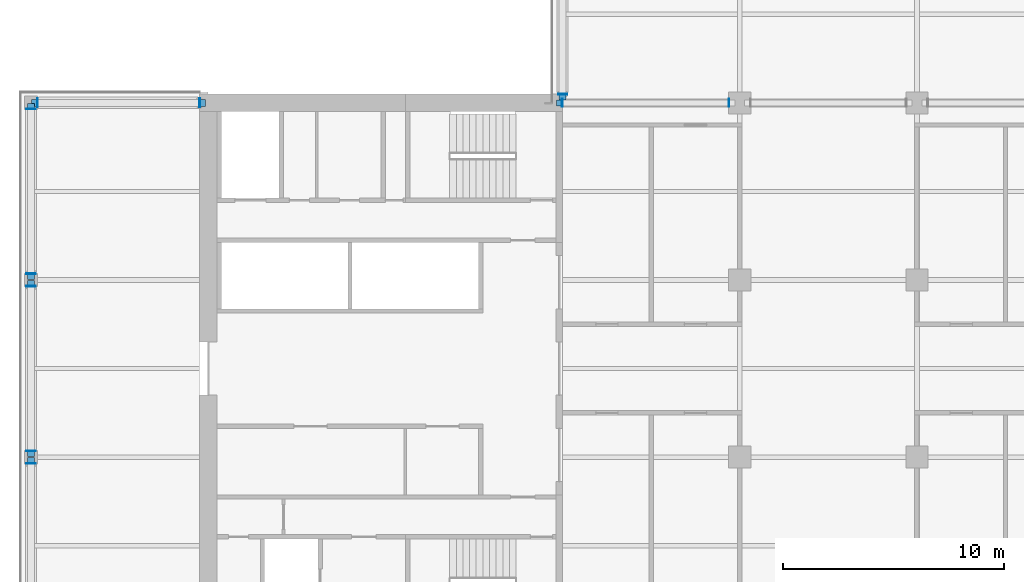
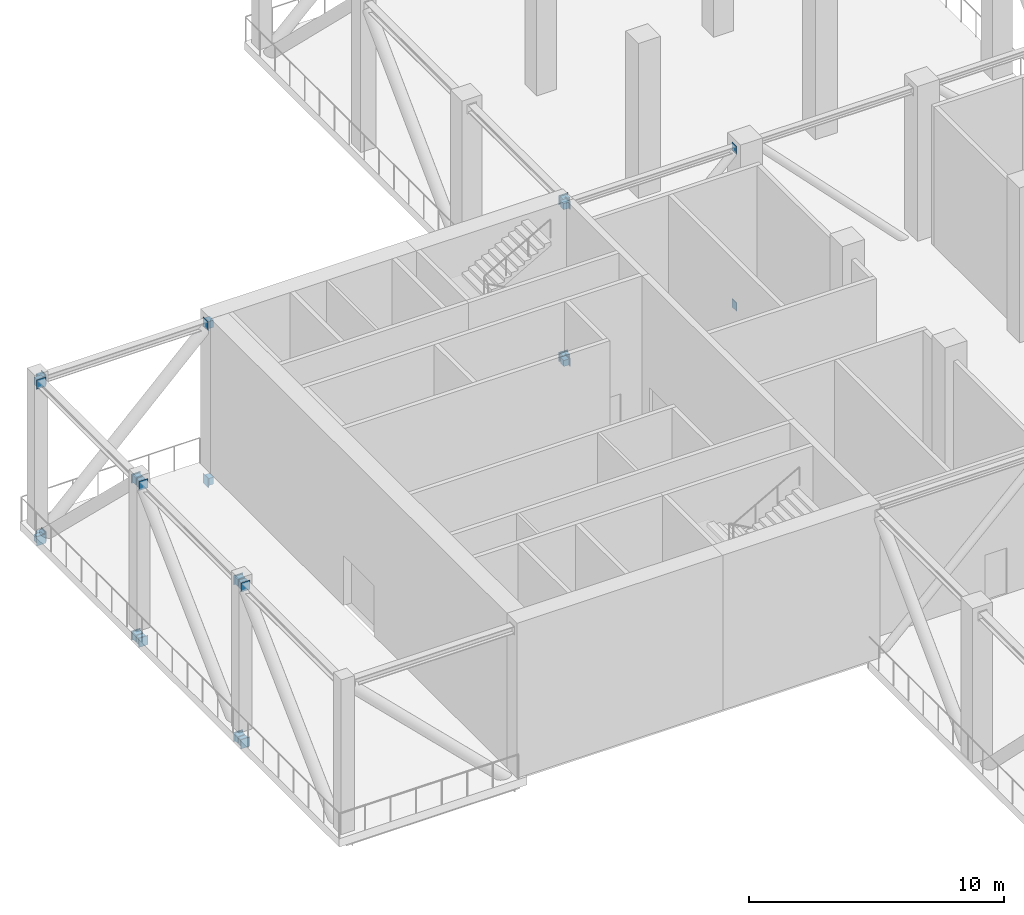
# One storey, part 10 of 18: 38 discrete accessories.
"""IFC4 building model written with IfcOpenShell, lengths in metres."""

from ifc_helpers import new_model, si_unit, direction, frame, origin, origin_2d, place, context, subcontext, project, spatial, rectangle, extrude, material, layer, layer_set, type_object, element, save


model = new_model("IFC4")

# Units and contexts
model_context = context("Model", 3, precision=1e-05, world=origin(), true_north=direction((0.0, 1.0)))
body_context = subcontext(model_context, "Body", "Model", "MODEL_VIEW")
ifc_project = project(units=[si_unit("LENGTHUNIT", "METRE"), si_unit("AREAUNIT", "SQUARE_METRE"), si_unit("VOLUMEUNIT", "CUBIC_METRE"), si_unit("PLANEANGLEUNIT", "RADIAN"), si_unit("MASSUNIT", "GRAM", prefix="KILO")], contexts=[model_context])

# Site, building, storey
site_placement = place(None, origin())
site = spatial("IfcSite", under=ifc_project, at=site_placement, CompositionType="ELEMENT")
building_placement = place(site_placement, origin())
building = spatial("IfcBuilding", under=site, at=building_placement, Name="Crosswind Convention Tower", CompositionType="ELEMENT")
storey_placement = place(building_placement, frame((0.0, 0.0, 105.300048828125)))
storey = spatial("IfcBuildingStorey", under=building, at=storey_placement, Name="L21", CompositionType="ELEMENT", Elevation=105.300048828125)

# Discrete accessories
ifc_material = material(Name="Steel S355", Category="steel")
ifc_layer_1 = layer(ifc_material, 0.030029296875)
ifc_layer_set_1 = layer_set([ifc_layer_1], Name="Steel S355")
discrete_accessory_type_1 = type_object("IfcDiscreteAccessoryType", Name="Cast-in plate 365 x 389 x 30", PredefinedType="ANCHORPLATE", material=ifc_layer_set_1)
for number, where, z_axis, x_axis, name in (
    (1, (112.985107421875, 112.0, -0.7392578125), (0.0, 0.0, 1.0), (1.0, 0.0, 0.0), "EP2 L21 cast-in plate"),
    (2, (120.514892578125, 112.0, -0.7392578125), (0.0, 0.0, 1.0), (1.0, 0.0, 0.0), "EP2 L21 cast-in plate"),
    (3, (112.985107421875, 112.0, 6.7607421875), (0.0, 0.0, 1.0), (1.0, 0.0, 0.0), "EP2 L21 cast-in plate"),
    (4, (120.514892578125, 112.0, 6.7607421875), (0.0, 0.0, 1.0), (1.0, 0.0, 0.0), "EP2 L21 cast-in plate"),
):
    element("IfcDiscreteAccessory", number, at=place(storey_placement, frame(where, z_axis=z_axis, x_axis=x_axis)), inside=storey, type_object=discrete_accessory_type_1, Name=name, PredefinedType="ANCHORPLATE", context=body_context, shape_type="SweptSolid", body=[
        extrude(rectangle(XDim=0.030029296875, YDim=0.364501953125, at=origin_2d()), origin(), (0.0, 0.0, 1.0), 0.38916015625),
    ])
ifc_layer_2 = layer(ifc_material, 0.030029296875)
ifc_layer_set_2 = layer_set([ifc_layer_2], Name="Steel S355")
discrete_accessory_type_2 = type_object("IfcDiscreteAccessoryType", Name="Cast-in plate 414 x 440 x 30", PredefinedType="ANCHORPLATE", material=ifc_layer_set_2)
for number, where, z_axis, x_axis, name in (
    (5, (89.0, 95.715087890625, -0.7900390625), (0.0, 0.0, 1.0), (1.0, 0.0, 0.0), "EP1 L21 cast-in plate"),
    (6, (89.0, 95.715087890625, 6.7099609375), (0.0, 0.0, 1.0), (1.0, 0.0, 0.0), "EP1 L21 cast-in plate"),
    (7, (89.0, 96.284912109375, -0.7900390625), (0.0, 0.0, 1.0), (1.0, 0.0, 0.0), "EP1 L21 cast-in plate"),
    (8, (89.0, 103.715087890625, -0.7900390625), (0.0, 0.0, 1.0), (1.0, 0.0, 0.0), "EP1 L21 cast-in plate"),
    (9, (89.0, 96.284912109375, 6.7099609375), (0.0, 0.0, 1.0), (1.0, 0.0, 0.0), "EP1 L21 cast-in plate"),
    (10, (89.0, 103.715087890625, 6.7099609375), (0.0, 0.0, 1.0), (1.0, 0.0, 0.0), "EP1 L21 cast-in plate"),
    (11, (89.0, 104.284912109375, -0.7900390625), (0.0, 0.0, 1.0), (1.0, 0.0, 0.0), "EP1 L21 cast-in plate"),
    (12, (89.0, 111.715087890625, -0.7900390625), (0.0, 0.0, 1.0), (1.0, 0.0, 0.0), "EP1 L21 cast-in plate"),
    (13, (89.0, 104.284912109375, 6.7099609375), (0.0, 0.0, 1.0), (1.0, 0.0, 0.0), "EP1 L21 cast-in plate"),
    (14, (89.0, 111.715087890625, 6.7099609375), (0.0, 0.0, 1.0), (1.0, 0.0, 0.0), "EP1 L21 cast-in plate"),
):
    element("IfcDiscreteAccessory", number, at=place(storey_placement, frame(where, z_axis=z_axis, x_axis=x_axis)), inside=storey, type_object=discrete_accessory_type_2, Name=name, PredefinedType="ANCHORPLATE", context=body_context, shape_type="SweptSolid", body=[
        extrude(rectangle(XDim=0.4140625, YDim=0.030029296875, at=origin_2d()), origin(), (0.0, 0.0, 1.0), 0.43994140625),
    ])
for number, where, z_axis, x_axis, name in (
    (15, (89.284912109375, 112.0, -0.7900390625), (0.0, 0.0, 1.0), (1.0, 0.0, 0.0), "EP1 L21 cast-in plate"),
    (16, (96.614990234375, 112.0, -0.7900390625), (0.0, 0.0, 1.0), (1.0, 0.0, 0.0), "EP1 L21 cast-in plate"),
    (17, (89.284912109375, 112.0, 6.7099609375), (0.0, 0.0, 1.0), (1.0, 0.0, 0.0), "EP1 L21 cast-in plate"),
    (18, (96.614990234375, 112.0, 6.7099609375), (0.0, 0.0, 1.0), (1.0, 0.0, 0.0), "EP1 L21 cast-in plate"),
):
    element("IfcDiscreteAccessory", number, at=place(storey_placement, frame(where, z_axis=z_axis, x_axis=x_axis)), inside=storey, type_object=discrete_accessory_type_2, Name=name, PredefinedType="ANCHORPLATE", context=body_context, shape_type="SweptSolid", body=[
        extrude(rectangle(XDim=0.030029296875, YDim=0.4140625, at=origin_2d()), origin(), (0.0, 0.0, 1.0), 0.43994140625),
    ])
for number, where, z_axis, x_axis, name in (
    (19, (113.0, 112.385009765625, -0.7900390625), (0.0, 0.0, 1.0), (1.0, 0.0, 0.0), "EP1 L21 cast-in plate"),
    (20, (113.0, 112.385009765625, 6.7099609375), (0.0, 0.0, 1.0), (1.0, 0.0, 0.0), "EP1 L21 cast-in plate"),
):
    element("IfcDiscreteAccessory", number, at=place(storey_placement, frame(where, z_axis=z_axis, x_axis=x_axis)), inside=storey, type_object=discrete_accessory_type_2, Name=name, PredefinedType="ANCHORPLATE", context=body_context, shape_type="SweptSolid", body=[
        extrude(rectangle(XDim=0.4140625, YDim=0.030029296875, at=origin_2d()), origin(), (0.0, 0.0, 1.0), 0.43994140625),
    ])
discrete_accessory_type_3 = type_object("IfcDiscreteAccessoryType", Name="Headed stud group 265 x 289 x 250", PredefinedType="USERDEFINED", material=ifc_material)
for number, where, z_axis, x_axis, name in (
    (21, (112.844970703125, 112.0, -0.689208984375), (0.0, 0.0, 1.0), (1.0, 0.0, 0.0), "AB2 L21 headed stud group"),
    (22, (112.844970703125, 112.0, 6.810791015625), (0.0, 0.0, 1.0), (1.0, 0.0, 0.0), "AB2 L21 headed stud group"),
):
    element("IfcDiscreteAccessory", number, at=place(storey_placement, frame(where, z_axis=z_axis, x_axis=x_axis)), inside=storey, type_object=discrete_accessory_type_3, Name=name, ObjectType="HEADED STUD GROUP", PredefinedType="USERDEFINED", context=body_context, shape_type="SweptSolid", body=[
        extrude(rectangle(XDim=0.25, YDim=0.264404296875, at=origin_2d()), origin(), (0.0, 0.0, 1.0), 0.2890625),
    ])
discrete_accessory_type_4 = type_object("IfcDiscreteAccessoryType", Name="Headed stud group 314 x 340 x 250", PredefinedType="USERDEFINED", material=ifc_material)
for number, where, z_axis, x_axis, name in (
    (23, (89.0, 95.85498046875, -0.739990234375), (0.0, 0.0, 1.0), (1.0, 0.0, 0.0), "AB1 L21 headed stud group"),
    (24, (89.0, 95.85498046875, 6.760009765625), (0.0, 0.0, 1.0), (1.0, 0.0, 0.0), "AB1 L21 headed stud group"),
    (25, (89.0, 96.14501953125, -0.739990234375), (0.0, 0.0, 1.0), (1.0, 0.0, 0.0), "AB1 L21 headed stud group"),
    (26, (89.0, 103.85498046875, -0.739990234375), (0.0, 0.0, 1.0), (1.0, 0.0, 0.0), "AB1 L21 headed stud group"),
    (27, (89.0, 96.14501953125, 6.760009765625), (0.0, 0.0, 1.0), (1.0, 0.0, 0.0), "AB1 L21 headed stud group"),
    (28, (89.0, 103.85498046875, 6.760009765625), (0.0, 0.0, 1.0), (1.0, 0.0, 0.0), "AB1 L21 headed stud group"),
    (29, (89.0, 104.14501953125, -0.739990234375), (0.0, 0.0, 1.0), (1.0, 0.0, 0.0), "AB1 L21 headed stud group"),
    (30, (89.0, 111.85498046875, -0.739990234375), (0.0, 0.0, 1.0), (1.0, 0.0, 0.0), "AB1 L21 headed stud group"),
    (31, (89.0, 104.14501953125, 6.760009765625), (0.0, 0.0, 1.0), (1.0, 0.0, 0.0), "AB1 L21 headed stud group"),
    (32, (89.0, 111.85498046875, 6.760009765625), (0.0, 0.0, 1.0), (1.0, 0.0, 0.0), "AB1 L21 headed stud group"),
):
    element("IfcDiscreteAccessory", number, at=place(storey_placement, frame(where, z_axis=z_axis, x_axis=x_axis)), inside=storey, type_object=discrete_accessory_type_4, Name=name, ObjectType="HEADED STUD GROUP", PredefinedType="USERDEFINED", context=body_context, shape_type="SweptSolid", body=[
        extrude(rectangle(XDim=0.314208984375, YDim=0.25, at=origin_2d()), origin(), (0.0, 0.0, 1.0), 0.33984375),
    ])
for number, where, z_axis, x_axis, name in (
    (33, (89.14501953125, 112.0, -0.739990234375), (0.0, 0.0, 1.0), (1.0, 0.0, 0.0), "AB1 L21 headed stud group"),
    (34, (96.7548828125, 112.0, -0.739990234375), (0.0, 0.0, 1.0), (1.0, 0.0, 0.0), "AB1 L21 headed stud group"),
    (35, (89.14501953125, 112.0, 6.760009765625), (0.0, 0.0, 1.0), (1.0, 0.0, 0.0), "AB1 L21 headed stud group"),
    (36, (96.7548828125, 112.0, 6.760009765625), (0.0, 0.0, 1.0), (1.0, 0.0, 0.0), "AB1 L21 headed stud group"),
):
    element("IfcDiscreteAccessory", number, at=place(storey_placement, frame(where, z_axis=z_axis, x_axis=x_axis)), inside=storey, type_object=discrete_accessory_type_4, Name=name, ObjectType="HEADED STUD GROUP", PredefinedType="USERDEFINED", context=body_context, shape_type="SweptSolid", body=[
        extrude(rectangle(XDim=0.25, YDim=0.314208984375, at=origin_2d()), origin(), (0.0, 0.0, 1.0), 0.33984375),
    ])
for number, where, z_axis, x_axis, name in (
    (37, (113.0, 112.2451171875, -0.739990234375), (0.0, 0.0, 1.0), (1.0, 0.0, 0.0), "AB1 L21 headed stud group"),
    (38, (113.0, 112.2451171875, 6.760009765625), (0.0, 0.0, 1.0), (1.0, 0.0, 0.0), "AB1 L21 headed stud group"),
):
    element("IfcDiscreteAccessory", number, at=place(storey_placement, frame(where, z_axis=z_axis, x_axis=x_axis)), inside=storey, type_object=discrete_accessory_type_4, Name=name, ObjectType="HEADED STUD GROUP", PredefinedType="USERDEFINED", context=body_context, shape_type="SweptSolid", body=[
        extrude(rectangle(XDim=0.314208984375, YDim=0.25, at=origin_2d()), origin(), (0.0, 0.0, 1.0), 0.33984375),
    ])

save(model, "model.ifc")
